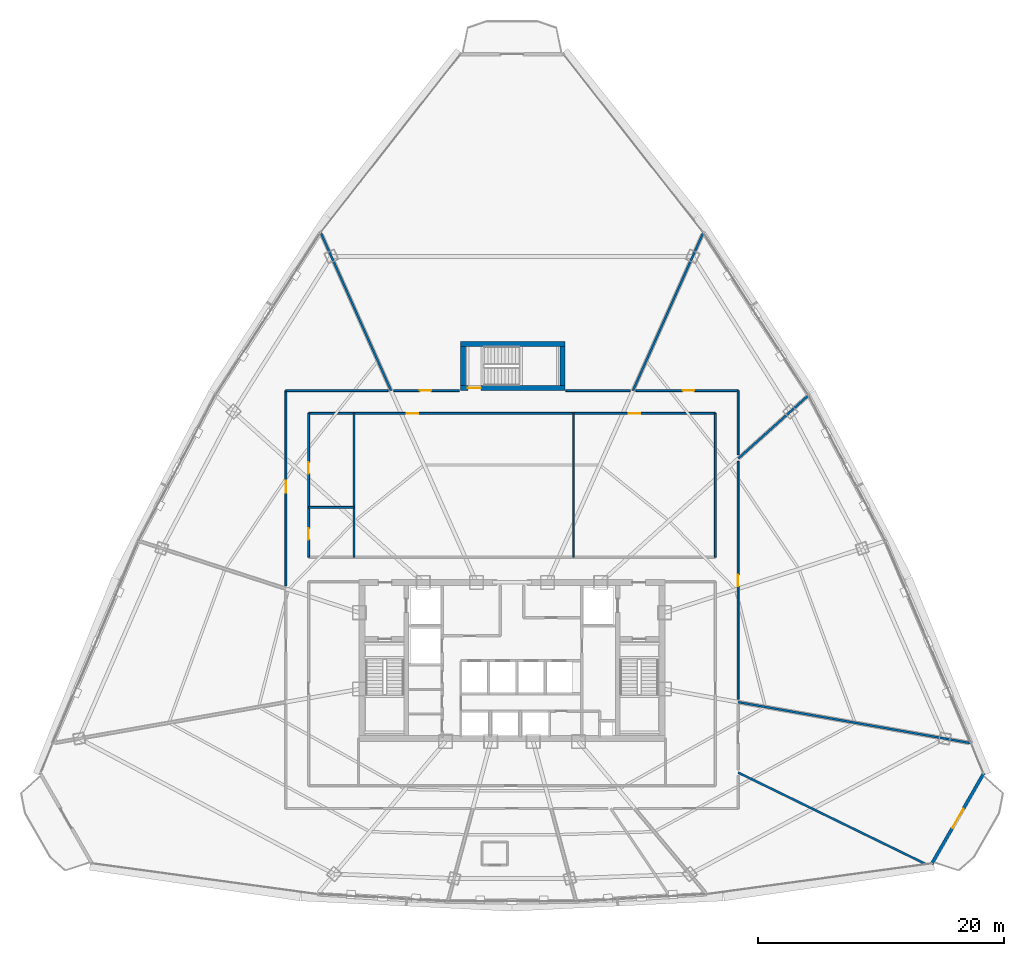
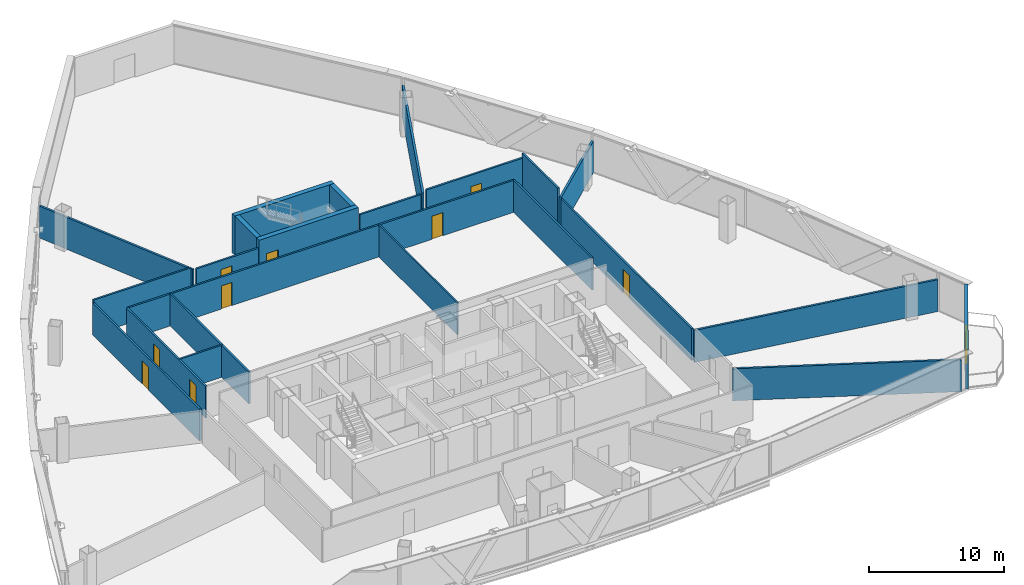
# One storey, part 32 of 37: 23 walls, 10 doors, 10 openings.
"""IFC4 building model written with IfcOpenShell, lengths in metres."""

from ifc_helpers import new_model, si_unit, direction, frame, frame_2d, origin, origin_with_axes, place, context, subcontext, project, spatial, rectangle, extrude, source, transform, mapped, material, layer, layer_set, type_object, element, fill, save


model = new_model("IFC4")

# Units and contexts
model_context = context("Model", 3, precision=1e-05, world=origin(), true_north=direction((0.0, 1.0)))
body_context = subcontext(model_context, "Body", "Model", "MODEL_VIEW")
ifc_project = project(units=[si_unit("LENGTHUNIT", "METRE"), si_unit("AREAUNIT", "SQUARE_METRE"), si_unit("VOLUMEUNIT", "CUBIC_METRE"), si_unit("PLANEANGLEUNIT", "RADIAN"), si_unit("MASSUNIT", "GRAM", prefix="KILO"), si_unit("THERMODYNAMICTEMPERATUREUNIT", "KELVIN"), si_unit("POWERUNIT", "WATT")], contexts=[model_context])

# Site, building, storey
site_placement = place(None, origin())
site = spatial("IfcSite", under=ifc_project, at=site_placement, CompositionType="ELEMENT")
building_placement = place(site_placement, origin())
building = spatial("IfcBuilding", under=site, at=building_placement, Name="Yunzhuo Pagoda Commons", CompositionType="ELEMENT")
storey_placement = place(building_placement, frame((0.0, 0.0, 199.9599609375)))
storey = spatial("IfcBuildingStorey", under=building, at=storey_placement, Name="L50", CompositionType="ELEMENT", Elevation=199.9599609375)

# Wall, opening, door
ifc_material_1 = material(Name="Precast concrete C40", Category="concrete")
ifc_layer_1 = layer(ifc_material_1, 0.260009765625)
ifc_layer_set_1 = layer_set([ifc_layer_1], Name="Precast concrete C40")
wall_type_1 = type_object("IfcWallType", Name="W-BAL1 Corner Balcony Threshold Wall 260", PredefinedType="STANDARD", material=ifc_layer_set_1)
wall_1_placement = place(storey_placement, frame((82.139892578125, 17.284912109375, 0.0), z_axis=(0.0, 0.0, 1.0), x_axis=(0.497930869929, 0.867216725376, 0.0)))
wall_1 = element("IfcWall", 1, at=wall_1_placement, inside=storey, type_object=wall_type_1, Name="L50 corner balcony wall V2", PredefinedType="STANDARD", context=body_context, shape_type="SweptSolid", body=[
    extrude(rectangle(XDim=8.534423828125, YDim=0.260009765625, at=frame_2d((4.26708984375, 0.0))), origin(), (0.0, 0.0, 1.0), 3.5400390625),
])
opening_1_placement = place(wall_1_placement, frame((3.3671875, 0.0, 0.0)))
opening_1 = element("IfcOpeningElement", 2, at=opening_1_placement, cuts=wall_1, Name="Opening D-BAL1", PredefinedType="OPENING", context=body_context, shape_type="SweptSolid", body=[
    extrude(rectangle(XDim=1.800048828125, YDim=2.14990234375, at=frame_2d((0.89990234375, 1.074951171875))), frame((0.0, 0.14013671875, 0.0), z_axis=(0.0, -1.0, 0.0), x_axis=(1.0, 0.0, 0.0)), (0.0, 0.0, 1.0), 0.280029296875),
])
ifc_material_2 = material(Name="Anodized aluminium frame and tempered glazed leaf", Category="aluminium")
door_type_1 = type_object("IfcDoorType", Name="D-BAL1 Corner Balcony Sliding Glazed Door 1800x2150", OperationType="DOUBLE_DOOR_SLIDING", PredefinedType="DOOR", material=ifc_material_2)
shared_shape_1 = source(origin(), body_context, "Body", "SweptSolid", [
    extrude(rectangle(XDim=1.800048828125, YDim=2.14990234375, at=frame_2d((0.89990234375, 1.074951171875))), frame((0.0, 0.02490234375, 0.0), z_axis=(0.0, -1.0, 0.0), x_axis=(1.0, 0.0, 0.0)), (0.0, 0.0, 1.0), 0.050048828125),
])
door_1_placement = place(opening_1_placement, origin_with_axes())
door_1 = element("IfcDoor", 3, at=door_1_placement, inside=storey, type_object=door_type_1, Name="L50 corner balcony sliding door V2", OperationType="DOUBLE_DOOR_SLIDING", OverallHeight=2.14990234375, OverallWidth=1.800048828125, PredefinedType="DOOR", context=body_context, shape_type="MappedRepresentation", body=[
    mapped(shared_shape_1, transform((0.0, 0.0, 0.0), scale=1.0)),
])
fill(opening_1, door_1)

# Wall, openings, doors
ifc_material_3 = material(Name="Gypsum plasterboard on acoustic stud")
ifc_layer_2 = layer(ifc_material_3, 0.155029296875)
ifc_layer_set_2 = layer_set([ifc_layer_2], Name="Gypsum plasterboard on acoustic stud")
wall_type_2 = type_object("IfcWallType", Name="W-COR2 Mid-Zone Rated Corridor Wall 155", PredefinedType="PARTITIONING", material=ifc_layer_set_2)
wall_2_placement = place(storey_placement, frame((31.449951171875, 53.949951171875, 0.0), z_axis=(0.0, 0.0, 1.0), x_axis=(1.0, 0.0, 0.0)))
wall_2 = element("IfcWall", 4, at=wall_2_placement, inside=storey, type_object=wall_type_2, Name="L50 interior wall IW-L50-MCNN", PredefinedType="PARTITIONING", context=body_context, shape_type="SweptSolid", body=[
    extrude(rectangle(XDim=33.10009765625, YDim=0.155029296875, at=frame_2d((16.550048828125, 0.0))), origin(), (0.0, 0.0, 1.0), 2.89013671875),
])
opening_2_placement = place(wall_2_placement, frame((8.0, 0.0, 0.0)))
opening_2 = element("IfcOpeningElement", 5, at=opening_2_placement, cuts=wall_2, Name="Opening D-04", PredefinedType="OPENING", context=body_context, shape_type="SweptSolid", body=[
    extrude(rectangle(XDim=0.919921875, YDim=2.10009765625, at=frame_2d((0.4599609375, 1.050048828125))), frame((0.0, 0.08740234375, 0.0), z_axis=(0.0, -1.0, 0.0), x_axis=(1.0, 0.0, 0.0)), (0.0, 0.0, 1.0), 0.175048828125),
])
opening_3_placement = place(wall_2_placement, frame((26.050048828125, 0.0, 0.0)))
opening_3 = element("IfcOpeningElement", 6, at=opening_3_placement, cuts=wall_2, Name="Opening D-04", PredefinedType="OPENING", context=body_context, shape_type="SweptSolid", body=[
    extrude(rectangle(XDim=0.919921875, YDim=2.10009765625, at=frame_2d((0.4599609375, 1.050048828125))), frame((0.0, 0.08740234375, 0.0), z_axis=(0.0, -1.0, 0.0), x_axis=(1.0, 0.0, 0.0)), (0.0, 0.0, 1.0), 0.175048828125),
])
ifc_material_4 = material(Name="Powder-coated aluminium and timber acoustic leaf", Category="wood")
door_type_2 = type_object("IfcDoorType", Name="D-04 Bedroom & Study Interior Door 920x2100", OperationType="NOTDEFINED", PredefinedType="DOOR", material=ifc_material_4)
shared_shape_2 = source(origin(), body_context, "Body", "SweptSolid", [
    extrude(rectangle(XDim=0.919921875, YDim=2.10009765625, at=frame_2d((0.4599609375, 1.050048828125))), frame((0.0, 0.02490234375, 0.0), z_axis=(0.0, -1.0, 0.0), x_axis=(1.0, 0.0, 0.0)), (0.0, 0.0, 1.0), 0.050048828125),
])
door_2_placement = place(opening_2_placement, origin_with_axes())
door_2 = element("IfcDoor", 7, at=door_2_placement, inside=storey, type_object=door_type_2, Name="L50 reading commons door", OperationType="SINGLE_SWING_LEFT", OverallHeight=2.10009765625, OverallWidth=0.919921875, PredefinedType="DOOR", context=body_context, shape_type="MappedRepresentation", body=[
    mapped(shared_shape_2, transform((0.0, 0.0, 0.0), scale=1.0)),
])
fill(opening_2, door_2)
door_3_placement = place(opening_3_placement, origin_with_axes())
door_3 = element("IfcDoor", 8, at=door_3_placement, inside=storey, type_object=door_type_2, Name="L50 seminar commons door", OperationType="SINGLE_SWING_RIGHT", OverallHeight=2.10009765625, OverallWidth=0.919921875, PredefinedType="DOOR", context=body_context, shape_type="MappedRepresentation", body=[
    mapped(shared_shape_2, transform((0.0, 0.0, 0.0), scale=1.0)),
])
fill(opening_3, door_3)

wall_3_placement = place(storey_placement, frame((31.449951171875, 42.25, 0.0), z_axis=(0.0, 0.0, 1.0), x_axis=(0.0, 1.0, 0.0)))
wall_3 = element("IfcWall", 9, at=wall_3_placement, inside=storey, type_object=wall_type_2, Name="L50 interior wall IW-L50-MCNW", PredefinedType="PARTITIONING", context=body_context, shape_type="SweptSolid", body=[
    extrude(rectangle(XDim=11.699951171875, YDim=0.155029296875, at=frame_2d((5.85009765625, 0.0))), origin(), (0.0, 0.0, 1.0), 2.89013671875),
])
opening_4_placement = place(wall_3_placement, frame((1.39990234375, 0.0, 0.0)))
opening_4 = element("IfcOpeningElement", 10, at=opening_4_placement, cuts=wall_3, Name="Opening D-11", PredefinedType="OPENING", context=body_context, shape_type="SweptSolid", body=[
    extrude(rectangle(XDim=0.93994140625, YDim=2.10009765625, at=frame_2d((0.469970703125, 1.050048828125))), frame((0.0, 0.08740234375, 0.0), z_axis=(0.0, -1.0, 0.0), x_axis=(1.0, 0.0, 0.0)), (0.0, 0.0, 1.0), 0.175048828125),
])
opening_5_placement = place(wall_3_placement, frame((6.800048828125, 0.0, 0.0)))
opening_5 = element("IfcOpeningElement", 11, at=opening_5_placement, cuts=wall_3, Name="Opening D-04", PredefinedType="OPENING", context=body_context, shape_type="SweptSolid", body=[
    extrude(rectangle(XDim=0.919921875, YDim=2.10009765625, at=frame_2d((0.4599609375, 1.050048828125))), frame((0.0, 0.08740234375, 0.0), z_axis=(0.0, -1.0, 0.0), x_axis=(1.0, 0.0, 0.0)), (0.0, 0.0, 1.0), 0.175048828125),
])
ifc_material_5 = material(Name="Galvanized fire-resisting metal leaf")
door_type_3 = type_object("IfcDoorType", Name="D-11 Accessible Washroom Fire Door 940x2100", OperationType="NOTDEFINED", PredefinedType="DOOR", material=ifc_material_5)
shared_shape_3 = source(origin(), body_context, "Body", "SweptSolid", [
    extrude(rectangle(XDim=0.93994140625, YDim=2.10009765625, at=frame_2d((0.469970703125, 1.050048828125))), frame((0.0, 0.02490234375, 0.0), z_axis=(0.0, -1.0, 0.0), x_axis=(1.0, 0.0, 0.0)), (0.0, 0.0, 1.0), 0.050048828125),
])
door_4_placement = place(opening_4_placement, origin_with_axes())
door_4 = element("IfcDoor", 12, at=door_4_placement, inside=storey, type_object=door_type_3, Name="L50 accessible WC door", OperationType="SINGLE_SWING_LEFT", OverallHeight=2.10009765625, OverallWidth=0.93994140625, PredefinedType="DOOR", context=body_context, shape_type="MappedRepresentation", body=[
    mapped(shared_shape_3, transform((0.0, 0.0, 0.0), scale=1.0)),
])
fill(opening_4, door_4)
door_5_placement = place(opening_5_placement, origin_with_axes())
door_5 = element("IfcDoor", 13, at=door_5_placement, inside=storey, type_object=door_type_2, Name="L50 laundry door", OperationType="SINGLE_SWING_RIGHT", OverallHeight=2.10009765625, OverallWidth=0.919921875, PredefinedType="DOOR", context=body_context, shape_type="MappedRepresentation", body=[
    mapped(shared_shape_2, transform((0.0, 0.0, 0.0), scale=1.0)),
])
fill(opening_5, door_5)

# Walls
for number, where, z_axis, x_axis, name in (
    (14, (64.550048828125, 42.25, 0.0), (0.0, 0.0, 1.0), (0.0, 1.0, 0.0), "L50 interior wall IW-L50-MCNE"),
    (15, (35.14990234375, 42.25, 0.0), (0.0, 0.0, 1.0), (0.0, 1.0, 0.0), "L50 interior wall IW-L50-MCWCE"),
):
    element("IfcWall", number, at=place(storey_placement, frame(where, z_axis=z_axis, x_axis=x_axis)), inside=storey, type_object=wall_type_2, Name=name, PredefinedType="PARTITIONING", context=body_context, shape_type="SweptSolid", body=[
        extrude(rectangle(XDim=11.699951171875, YDim=0.155029296875, at=frame_2d((5.85009765625, 0.0))), origin(), (0.0, 0.0, 1.0), 2.89013671875),
    ])
wall_4_placement = place(storey_placement, frame((31.449951171875, 46.300048828125, 0.0), z_axis=(0.0, 0.0, 1.0), x_axis=(1.0, 0.0, 0.0)))
element("IfcWall", 16, at=wall_4_placement, inside=storey, type_object=wall_type_2, Name="L50 interior wall IW-L50-MCWCN", PredefinedType="PARTITIONING", context=body_context, shape_type="SweptSolid", body=[
    extrude(rectangle(XDim=3.699951171875, YDim=0.155029296875, at=frame_2d((1.85009765625, 0.0))), origin(), (0.0, 0.0, 1.0), 2.89013671875),
])

# Wall, opening, door
wall_5_placement = place(storey_placement, frame((29.60009765625, 39.909912109375, 0.0), z_axis=(0.0, 0.0, 1.0), x_axis=(0.0, 1.0, 0.0)))
wall_5 = element("IfcWall", 17, at=wall_5_placement, inside=storey, type_object=wall_type_2, Name="L50 interior wall IW-L50-CWL03", PredefinedType="PARTITIONING", context=body_context, shape_type="SweptSolid", body=[
    extrude(rectangle(XDim=15.89013671875, YDim=0.155029296875, at=frame_2d((7.945068359375, 0.0))), origin(), (0.0, 0.0, 1.0), 2.89013671875),
])
opening_6_placement = place(wall_5_placement, frame((7.58447265625, 0.0, 0.0)))
opening_6 = element("IfcOpeningElement", 18, at=opening_6_placement, cuts=wall_5, Name="Opening D-07", PredefinedType="OPENING", context=body_context, shape_type="SweptSolid", body=[
    extrude(rectangle(XDim=0.9599609375, YDim=2.1201171875, at=frame_2d((0.47998046875, 1.06005859375))), frame((0.0, 0.08740234375, 0.0), z_axis=(0.0, -1.0, 0.0), x_axis=(1.0, 0.0, 0.0)), (0.0, 0.0, 1.0), 0.175048828125),
])
door_type_4 = type_object("IfcDoorType", Name="D-07 Mid-Zone Suite Entrance Fire Door 960x2120", OperationType="NOTDEFINED", PredefinedType="DOOR", material=ifc_material_5)
shared_shape_4 = source(origin(), body_context, "Body", "SweptSolid", [
    extrude(rectangle(XDim=0.9599609375, YDim=2.1201171875, at=frame_2d((0.47998046875, 1.06005859375))), frame((0.0, 0.02490234375, 0.0), z_axis=(0.0, -1.0, 0.0), x_axis=(1.0, 0.0, 0.0)), (0.0, 0.0, 1.0), 0.050048828125),
])
door_6_placement = place(opening_6_placement, origin_with_axes())
door_6 = element("IfcDoor", 19, at=door_6_placement, inside=storey, type_object=door_type_4, Name="L50 Resident Co-Living Commons Hall door", OperationType="SINGLE_SWING_LEFT", OverallHeight=2.1201171875, OverallWidth=0.9599609375, PredefinedType="DOOR", context=body_context, shape_type="MappedRepresentation", body=[
    mapped(shared_shape_4, transform((0.0, 0.0, 0.0), scale=1.0)),
])
fill(opening_6, door_6)

# Wall
wall_6_placement = place(storey_placement, frame((29.60009765625, 55.800048828125, 0.0), z_axis=(0.0, 0.0, 1.0), x_axis=(1.0, 0.0, 0.0)))
element("IfcWall", 20, at=wall_6_placement, inside=storey, type_object=wall_type_2, Name="L50 interior wall IW-L50-CWL04", PredefinedType="PARTITIONING", context=body_context, shape_type="SweptSolid", body=[
    extrude(rectangle(XDim=8.319580078125, YDim=0.155029296875, at=frame_2d((4.15966796875, 0.0))), origin(), (0.0, 0.0, 1.0), 3.14013671875),
])

# Wall, opening, door
wall_7_placement = place(storey_placement, frame((38.380126953125, 55.800048828125, 0.0), z_axis=(0.0, 0.0, 1.0), x_axis=(1.0, 0.0, 0.0)))
wall_7 = element("IfcWall", 21, at=wall_7_placement, inside=storey, type_object=wall_type_2, Name="L50 interior wall IW-L50-CWL05", PredefinedType="PARTITIONING", context=body_context, shape_type="SweptSolid", body=[
    extrude(rectangle(XDim=5.328857421875, YDim=0.155029296875, at=frame_2d((2.66455078125, 0.0))), origin(), (0.0, 0.0, 1.0), 2.89013671875),
])
opening_7_placement = place(wall_7_placement, frame((2.1298828125, 0.0, 0.0)))
opening_7 = element("IfcOpeningElement", 22, at=opening_7_placement, cuts=wall_7, Name="Opening D-04", PredefinedType="OPENING", context=body_context, shape_type="SweptSolid", body=[
    extrude(rectangle(XDim=0.919921875, YDim=2.10009765625, at=frame_2d((0.4599609375, 1.050048828125))), frame((0.0, 0.08740234375, 0.0), z_axis=(0.0, -1.0, 0.0), x_axis=(1.0, 0.0, 0.0)), (0.0, 0.0, 1.0), 0.175048828125),
])
door_7_placement = place(opening_7_placement, origin_with_axes())
door_7 = element("IfcDoor", 23, at=door_7_placement, inside=storey, type_object=door_type_2, Name="L50 seminar room 03 door", OperationType="SINGLE_SWING_RIGHT", OverallHeight=2.10009765625, OverallWidth=0.919921875, PredefinedType="DOOR", context=body_context, shape_type="MappedRepresentation", body=[
    mapped(shared_shape_2, transform((0.0, 0.0, 0.0), scale=1.0)),
])
fill(opening_7, door_7)

# Wall
wall_8_placement = place(storey_placement, frame((52.39111328125, 55.800048828125, 0.0), z_axis=(0.0, 0.0, 1.0), x_axis=(1.0, 0.0, 0.0)))
element("IfcWall", 24, at=wall_8_placement, inside=storey, type_object=wall_type_2, Name="L50 interior wall IW-L50-CWL06", PredefinedType="PARTITIONING", context=body_context, shape_type="SweptSolid", body=[
    extrude(rectangle(XDim=5.228759765625, YDim=0.155029296875, at=frame_2d((2.6142578125, 0.0))), origin(), (0.0, 0.0, 1.0), 2.89013671875),
])

# Wall, opening, door
wall_9_placement = place(storey_placement, frame((58.080322265625, 55.800048828125, 0.0), z_axis=(0.0, 0.0, 1.0), x_axis=(1.0, 0.0, 0.0)))
wall_9 = element("IfcWall", 25, at=wall_9_placement, inside=storey, type_object=wall_type_2, Name="L50 interior wall IW-L50-CWL07", PredefinedType="PARTITIONING", context=body_context, shape_type="SweptSolid", body=[
    extrude(rectangle(XDim=8.319580078125, YDim=0.155029296875, at=frame_2d((4.15966796875, 0.0))), origin(), (0.0, 0.0, 1.0), 3.14013671875),
])
opening_8_placement = place(wall_9_placement, frame((3.809326171875, 0.0, 0.0)))
opening_8 = element("IfcOpeningElement", 26, at=opening_8_placement, cuts=wall_9, Name="Opening D-04", PredefinedType="OPENING", context=body_context, shape_type="SweptSolid", body=[
    extrude(rectangle(XDim=0.919921875, YDim=2.10009765625, at=frame_2d((0.4599609375, 1.050048828125))), frame((0.0, 0.08740234375, 0.0), z_axis=(0.0, -1.0, 0.0), x_axis=(1.0, 0.0, 0.0)), (0.0, 0.0, 1.0), 0.175048828125),
])
door_8_placement = place(opening_8_placement, origin_with_axes())
door_8 = element("IfcDoor", 27, at=door_8_placement, inside=storey, type_object=door_type_2, Name="L50 seminar room 02 door", OperationType="SINGLE_SWING_LEFT", OverallHeight=2.10009765625, OverallWidth=0.919921875, PredefinedType="DOOR", context=body_context, shape_type="MappedRepresentation", body=[
    mapped(shared_shape_2, transform((0.0, 0.0, 0.0), scale=1.0)),
])
fill(opening_8, door_8)

# Wall
wall_10_placement = place(storey_placement, frame((66.39990234375, 55.800048828125, 0.0), z_axis=(0.0, 0.0, 1.0), x_axis=(0.0, -1.0, 0.0)))
element("IfcWall", 28, at=wall_10_placement, inside=storey, type_object=wall_type_2, Name="L50 interior wall IW-L50-CWL08", PredefinedType="PARTITIONING", context=body_context, shape_type="SweptSolid", body=[
    extrude(rectangle(XDim=5.236572265625, YDim=0.155029296875, at=frame_2d((2.6181640625, 0.0))), origin(), (0.0, 0.0, 1.0), 3.5400390625),
])

# Wall, opening, door
wall_11_placement = place(storey_placement, frame((66.39990234375, 50.047607421875, 0.0), z_axis=(0.0, 0.0, 1.0), x_axis=(0.0, -1.0, 0.0)))
wall_11 = element("IfcWall", 29, at=wall_11_placement, inside=storey, type_object=wall_type_2, Name="L50 interior wall IW-L50-CWL09", PredefinedType="PARTITIONING", context=body_context, shape_type="SweptSolid", body=[
    extrude(rectangle(XDim=19.372314453125, YDim=0.155029296875, at=frame_2d((9.68603515625, 0.0))), origin(), (0.0, 0.0, 1.0), 2.89013671875),
])
opening_9_placement = place(wall_11_placement, frame((9.211181640625, 0.0, 0.0)))
opening_9 = element("IfcOpeningElement", 30, at=opening_9_placement, cuts=wall_11, Name="Opening D-07", PredefinedType="OPENING", context=body_context, shape_type="SweptSolid", body=[
    extrude(rectangle(XDim=0.9599609375, YDim=2.1201171875, at=frame_2d((0.47998046875, 1.06005859375))), frame((0.0, 0.08740234375, 0.0), z_axis=(0.0, -1.0, 0.0), x_axis=(1.0, 0.0, 0.0)), (0.0, 0.0, 1.0), 0.175048828125),
])
door_9_placement = place(opening_9_placement, origin_with_axes())
door_9 = element("IfcDoor", 31, at=door_9_placement, inside=storey, type_object=door_type_4, Name="L50 Shared Resident Kitchen and Pantry door", OperationType="SINGLE_SWING_RIGHT", OverallHeight=2.1201171875, OverallWidth=0.9599609375, PredefinedType="DOOR", context=body_context, shape_type="MappedRepresentation", body=[
    mapped(shared_shape_4, transform((0.0, 0.0, 0.0), scale=1.0)),
])
fill(opening_9, door_9)

# Walls
ifc_layer_3 = layer(ifc_material_3, 0.1201171875)
ifc_layer_set_3 = layer_set([ifc_layer_3], Name="Gypsum plasterboard on acoustic stud")
wall_type_3 = type_object("IfcWallType", Name="W-PRT1 Suite & Bathroom Partition 120", PredefinedType="PARTITIONING", material=ifc_layer_set_3)
wall_12_placement = place(storey_placement, frame((53.0, 42.25, 0.0), z_axis=(0.0, 0.0, 1.0), x_axis=(0.0, 1.0, 0.0)))
element("IfcWall", 32, at=wall_12_placement, inside=storey, type_object=wall_type_3, Name="L50 interior wall IW-L50-MCDIV", PredefinedType="PARTITIONING", context=body_context, shape_type="SweptSolid", body=[
    extrude(rectangle(XDim=11.699951171875, YDim=0.1201171875, at=frame_2d((5.85009765625, 0.0))), origin(), (0.0, 0.0, 1.0), 2.89013671875),
])
ifc_layer_4 = layer(ifc_material_3, 0.175048828125)
ifc_layer_set_4 = layer_set([ifc_layer_4], Name="Gypsum plasterboard on acoustic stud")
wall_type_4 = type_object("IfcWallType", Name="W-PRT3 Mid-Zone Demising Wall 175", PredefinedType="PARTITIONING", material=ifc_layer_set_4)
wall_13_placement = place(storey_placement, frame((66.39990234375, 50.267333984375, 0.0), z_axis=(0.0, 0.0, 1.0), x_axis=(0.743141257722, 0.669134568731, 0.0)))
element("IfcWall", 33, at=wall_13_placement, inside=storey, type_object=wall_type_4, Name="L50 interior wall IW-L50-RAD01", PredefinedType="PARTITIONING", context=body_context, shape_type="SweptSolid", body=[
    extrude(rectangle(XDim=7.702880859375, YDim=0.175048828125, at=frame_2d((3.8515625, 0.0))), origin(), (0.0, 0.0, 1.0), 2.89013671875),
])
for number, where, z_axis, x_axis, name in (
    (34, (57.839599609375, 55.800048828125, 0.0), (0.0, 0.0, 1.0), (0.406725691424, 0.913550333554, 0.0), "L50 interior wall IW-L50-RAD02"),
    (35, (38.160400390625, 55.800048828125, 0.0), (0.0, 0.0, 1.0), (-0.406725691424, 0.913550333554, 0.0), "L50 interior wall IW-L50-RAD03"),
):
    element("IfcWall", number, at=place(storey_placement, frame(where, z_axis=z_axis, x_axis=x_axis)), inside=storey, type_object=wall_type_4, Name=name, PredefinedType="PARTITIONING", context=body_context, shape_type="SweptSolid", body=[
        extrude(rectangle(XDim=14.077880859375, YDim=0.175048828125, at=frame_2d((7.0390625, 0.0))), origin(), (0.0, 0.0, 1.0), 2.89013671875),
    ])
wall_14_placement = place(storey_placement, frame((66.39990234375, 24.7255859375, 0.0), z_axis=(0.0, 0.0, 1.0), x_axis=(0.898797681505, -0.438363693435, 0.0)))
element("IfcWall", 36, at=wall_14_placement, inside=storey, type_object=wall_type_4, Name="L50 interior wall IW-L50-RAD10", PredefinedType="PARTITIONING", context=body_context, shape_type="SweptSolid", body=[
    extrude(rectangle(XDim=17.01318359375, YDim=0.175048828125, at=frame_2d((8.506591796875, 0.0))), origin(), (0.0, 0.0, 1.0), 2.89013671875),
])
wall_15_placement = place(storey_placement, frame((66.39990234375, 30.45556640625, 0.0), z_axis=(0.0, 0.0, 1.0), x_axis=(0.984807685374, -0.173648561263, 0.0)))
element("IfcWall", 37, at=wall_15_placement, inside=storey, type_object=wall_type_4, Name="L50 interior wall IW-L50-RAD11", PredefinedType="PARTITIONING", context=body_context, shape_type="SweptSolid", body=[
    extrude(rectangle(XDim=19.24609375, YDim=0.175048828125, at=frame_2d((9.623046875, 0.0))), origin(), (0.0, 0.0, 1.0), 2.89013671875),
])
ifc_material_6 = material(Name="Concrete C60", Category="concrete")
ifc_layer_5 = layer(ifc_material_6, 0.39990234375)
ifc_layer_set_5 = layer_set([ifc_layer_5], Name="Concrete C60")
wall_type_5 = type_object("IfcWallType", Name="W-S01 Internal Core Shear Web 400", PredefinedType="SHEAR", material=ifc_layer_set_5)
wall_16_placement = place(storey_placement, frame((43.800048828125, 59.60009765625, 0.0), z_axis=(0.0, 0.0, 1.0), x_axis=(1.0, 0.0, 0.0)))
element("IfcWall", 38, at=wall_16_placement, inside=storey, type_object=wall_type_5, Name="L50 ST3 structural stair wall N", PredefinedType="SHEAR", context=body_context, shape_type="SweptSolid", body=[
    extrude(rectangle(XDim=8.5, YDim=0.39990234375, at=frame_2d((4.25, 0.0))), origin(), (0.0, 0.0, 1.0), 3.5400390625),
])

# Wall, opening, door
wall_17_placement = place(storey_placement, frame((43.800048828125, 56.0, 0.0), z_axis=(0.0, 0.0, 1.0), x_axis=(1.0, 0.0, 0.0)))
wall_17 = element("IfcWall", 39, at=wall_17_placement, inside=storey, type_object=wall_type_5, Name="L50 ST3 structural stair wall S", PredefinedType="SHEAR", context=body_context, shape_type="SweptSolid", body=[
    extrude(rectangle(XDim=8.5, YDim=0.39990234375, at=frame_2d((4.25, 0.0))), origin(), (0.0, 0.0, 1.0), 3.5400390625),
])
opening_10_placement = place(wall_17_placement, frame((0.6201171875, 0.0, 0.0)))
opening_10 = element("IfcOpeningElement", 40, at=opening_10_placement, cuts=wall_17, Name="Opening D-01", PredefinedType="OPENING", context=body_context, shape_type="SweptSolid", body=[
    extrude(rectangle(XDim=1.050048828125, YDim=2.10009765625, at=frame_2d((0.52490234375, 1.050048828125))), frame((0.0, 0.2099609375, 0.0), z_axis=(0.0, -1.0, 0.0), x_axis=(1.0, 0.0, 0.0)), (0.0, 0.0, 1.0), 0.419921875),
])
door_type_5 = type_object("IfcDoorType", Name="D-01 Smokeproof Stair Fire Door 1050x2100", OperationType="NOTDEFINED", PredefinedType="DOOR", material=ifc_material_5)
shared_shape_5 = source(origin(), body_context, "Body", "SweptSolid", [
    extrude(rectangle(XDim=1.050048828125, YDim=2.10009765625, at=frame_2d((0.52490234375, 1.050048828125))), frame((0.0, 0.02490234375, 0.0), z_axis=(0.0, -1.0, 0.0), x_axis=(1.0, 0.0, 0.0)), (0.0, 0.0, 1.0), 0.050048828125),
])
door_10_placement = place(opening_10_placement, frame((1.050048828125, 0.0, 0.0), z_axis=(0.0, 0.0, 1.0), x_axis=(-1.0, 0.0, 0.0)))
door_10 = element("IfcDoor", 41, at=door_10_placement, inside=storey, type_object=door_type_5, Name="L50 Stair ST3 fire door", OperationType="SINGLE_SWING_LEFT", OverallHeight=2.10009765625, OverallWidth=1.050048828125, PredefinedType="DOOR", context=body_context, shape_type="MappedRepresentation", body=[
    mapped(shared_shape_5, transform((0.0, 0.0, 0.0), scale=1.0)),
])
fill(opening_10, door_10)

# Walls
for number, where, z_axis, x_axis, name in (
    (42, (44.0, 56.199951171875, 0.0), (0.0, 0.0, 1.0), (0.0, 1.0, 0.0), "L50 ST3 structural stair wall W"),
    (43, (52.10009765625, 56.199951171875, 0.0), (0.0, 0.0, 1.0), (0.0, 1.0, 0.0), "L50 ST3 structural stair wall E"),
):
    element("IfcWall", number, at=place(storey_placement, frame(where, z_axis=z_axis, x_axis=x_axis)), inside=storey, type_object=wall_type_5, Name=name, PredefinedType="SHEAR", context=body_context, shape_type="SweptSolid", body=[
        extrude(rectangle(XDim=3.199951171875, YDim=0.39990234375, at=frame_2d((1.60009765625, 0.0))), origin(), (0.0, 0.0, 1.0), 3.5400390625),
    ])

save(model, "model.ifc")
